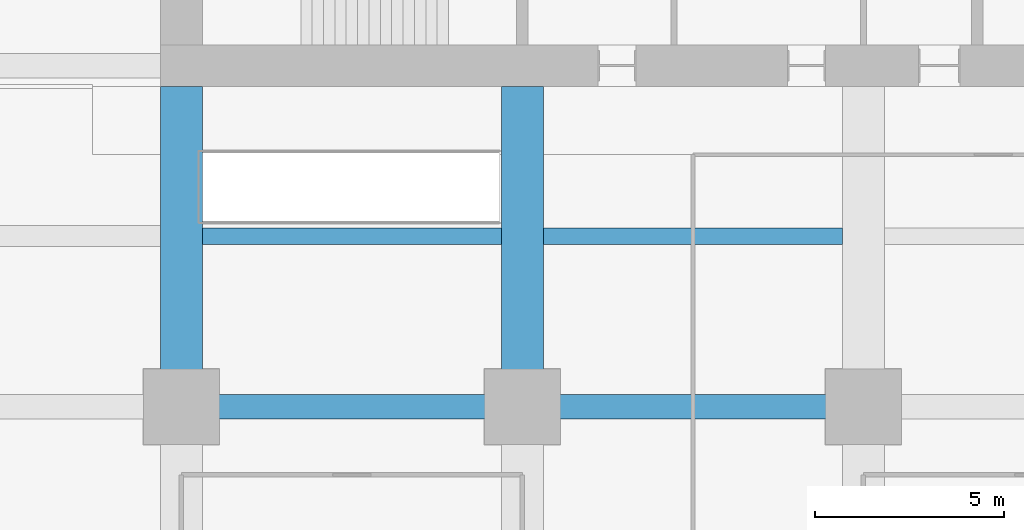
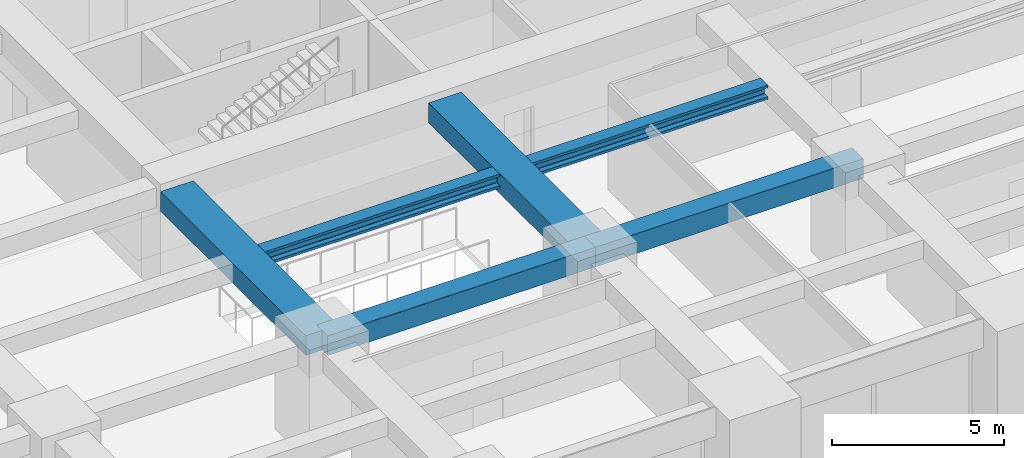
# One storey, part 8 of 39: 6 beams.
"""IFC4 building model written with IfcOpenShell, lengths in metres."""

from ifc_helpers import new_model, si_unit, direction, frame, origin, origin_2d, place, context, subcontext, project, spatial, rectangle, i_section, extrude, material, material_profile, profile_set, type_object, element, save


model = new_model("IFC4")

# Units and contexts
model_context = context("Model", 3, precision=1e-05, world=origin(), true_north=direction((0.0, 1.0)))
body_context = subcontext(model_context, "Body", "Model", "MODEL_VIEW")
ifc_project = project(units=[si_unit("LENGTHUNIT", "METRE"), si_unit("AREAUNIT", "SQUARE_METRE"), si_unit("VOLUMEUNIT", "CUBIC_METRE"), si_unit("PLANEANGLEUNIT", "RADIAN"), si_unit("MASSUNIT", "GRAM", prefix="KILO")], contexts=[model_context])

# Site, building, storey
site_placement = place(None, origin())
site = spatial("IfcSite", under=ifc_project, at=site_placement, CompositionType="ELEMENT")
building_placement = place(site_placement, origin())
building = spatial("IfcBuilding", under=site, at=building_placement, Name="Zorevar Civic Tower", CompositionType="ELEMENT")
storey_placement = place(building_placement, frame((0.0, 0.0, 121.0)))
storey = spatial("IfcBuildingStorey", under=building, at=storey_placement, Name="L29", CompositionType="ELEMENT", Elevation=121.0)

# Beams
ifc_material_1 = material(Name="Concrete C50/60", Category="concrete")
ifc_material_profile_1 = material_profile(ifc_material_1, rectangle(XDim=1.10009765625, YDim=0.699951171875, at=origin_2d()), Name="RC 1100x700")
ifc_profile_set_1 = profile_set([ifc_material_profile_1], Name="Concrete C50/60")
beam_type_1 = type_object("IfcBeamType", Name="Beam RC 1100x700", PredefinedType="BEAM", material=ifc_profile_set_1)
for number, where, z_axis, x_axis, name in (
    (1, (18.0, 9.0, 3.39990234375), (0.0, 1.0, 0.0), (-1.0, 0.0, 0.0), "Girder L30"),
    (2, (27.0, 9.0, 3.39990234375), (0.0, 1.0, 0.0), (-1.0, 0.0, 0.0), "Girder L30"),
):
    element("IfcBeam", number, at=place(storey_placement, frame(where, z_axis=z_axis, x_axis=x_axis)), inside=storey, type_object=beam_type_1, Name=name, PredefinedType="BEAM", context=body_context, shape_type="SweptSolid", body=[
        extrude(rectangle(XDim=1.10009765625, YDim=0.699951171875, at=origin_2d()), origin(), (0.0, 0.0, 1.0), 8.449951171875),
    ])
ifc_material_2 = material(Name="Concrete C50/60", Category="concrete")
ifc_material_profile_2 = material_profile(ifc_material_2, rectangle(XDim=0.64990234375, YDim=0.699951171875, at=origin_2d()), Name="RC 650x700")
ifc_profile_set_2 = profile_set([ifc_material_profile_2], Name="Concrete C50/60")
beam_type_2 = type_object("IfcBeamType", Name="Beam RC 650x700", PredefinedType="BEAM", material=ifc_profile_set_2)
for number, where, z_axis, x_axis, name in (
    (3, (18.0, 9.0, 3.39990234375), (1.0, 0.0, 0.0), (0.0, 1.0, 0.0), "Girder L30"),
    (4, (27.0, 9.0, 3.39990234375), (1.0, 0.0, 0.0), (0.0, 1.0, 0.0), "Girder L30"),
):
    element("IfcBeam", number, at=place(storey_placement, frame(where, z_axis=z_axis, x_axis=x_axis)), inside=storey, type_object=beam_type_2, Name=name, PredefinedType="BEAM", context=body_context, shape_type="SweptSolid", body=[
        extrude(rectangle(XDim=0.64990234375, YDim=0.699951171875, at=origin_2d()), origin(), (0.0, 0.0, 1.0), 9.0),
    ])
ifc_material_3 = material(Name="Steel S460M (HISTAR 460)", Category="steel")
ifc_material_profile_3 = material_profile(ifc_material_3, i_section(OverallWidth=0.431884765625, OverallDepth=0.498046875, WebThickness=0.0556640625, FlangeThickness=0.0888671875, FilletRadius=0.014892578125, at=origin_2d()), Name="HD 400x744")
ifc_profile_set_3 = profile_set([ifc_material_profile_3], Name="Steel S460M (HISTAR 460)")
beam_type_3 = type_object("IfcBeamType", Name="Core bay beam HD 400x744", PredefinedType="BEAM", material=ifc_profile_set_3)
for number, where, z_axis, x_axis, name in (
    (5, (18.550048828125, 13.5, 3.5009765625), (1.0, 0.0, 0.0), (0.0, 1.0, 0.0), "Secondary beam L30"),
    (6, (27.550048828125, 13.5, 3.5009765625), (1.0, 0.0, 0.0), (0.0, 1.0, 0.0), "Secondary beam L30"),
):
    element("IfcBeam", number, at=place(storey_placement, frame(where, z_axis=z_axis, x_axis=x_axis)), inside=storey, type_object=beam_type_3, Name=name, PredefinedType="BEAM", context=body_context, shape_type="SweptSolid", body=[
        extrude(i_section(OverallWidth=0.431884765625, OverallDepth=0.498046875, WebThickness=0.0556640625, FlangeThickness=0.0888671875, FilletRadius=0.014892578125, at=origin_2d()), origin(), (0.0, 0.0, 1.0), 7.89990234375),
    ])

save(model, "model.ifc")
